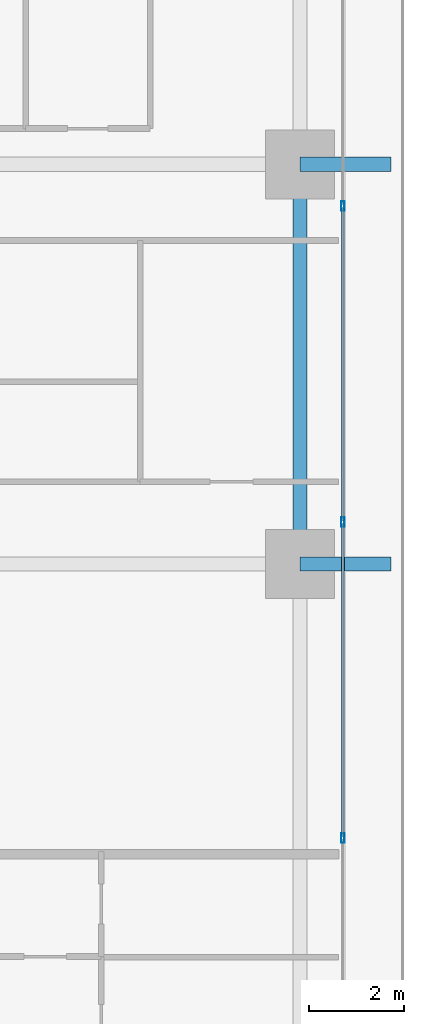
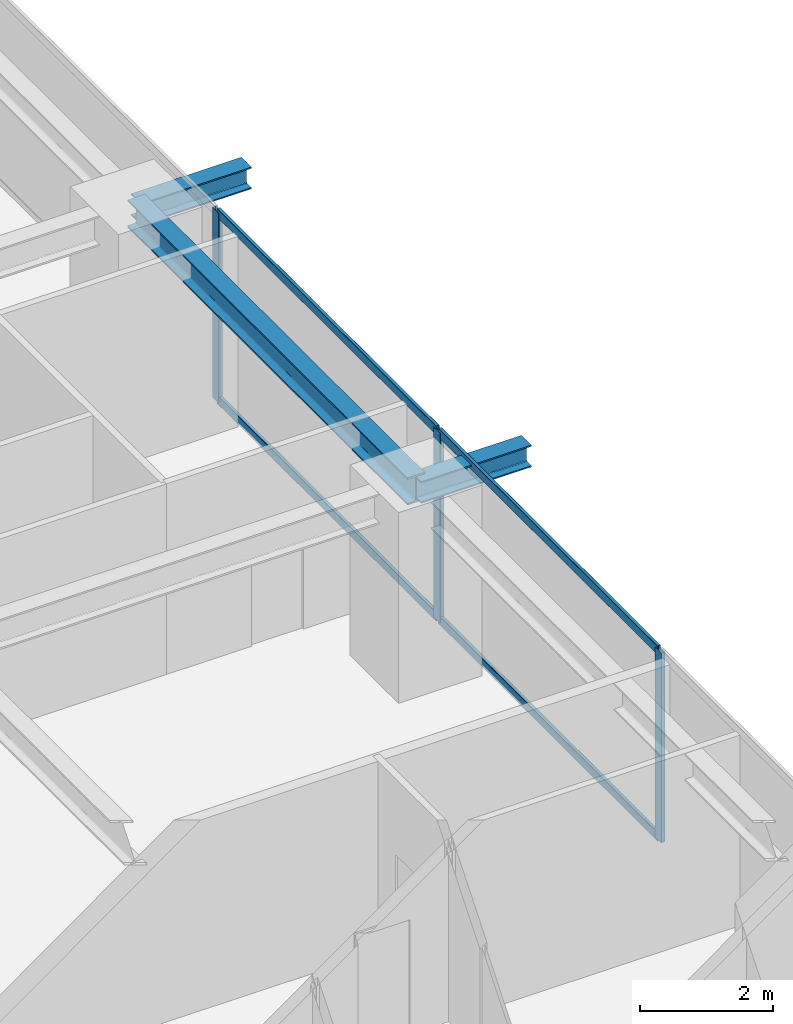
# One storey, part 14 of 35: 7 members, 3 beams, 1 element without a shape of its own.
"""IFC4 building model written with IfcOpenShell, lengths in metres."""

from ifc_helpers import new_model, si_unit, direction, frame, origin, origin_2d, place, context, subcontext, project, spatial, hollow_rectangle, i_section, extrude, source, transform, mapped, material, layer, layer_set, material_profile, profile_set, type_object, element, aggregate, save


model = new_model("IFC4")

# Units and contexts
model_context = context("Model", 3, precision=1e-05, world=origin(), true_north=direction((0.0, 1.0)))
body_context = subcontext(model_context, "Body", "Model", "MODEL_VIEW")
ifc_project = project(units=[si_unit("LENGTHUNIT", "METRE"), si_unit("AREAUNIT", "SQUARE_METRE"), si_unit("VOLUMEUNIT", "CUBIC_METRE"), si_unit("PLANEANGLEUNIT", "RADIAN"), si_unit("MASSUNIT", "GRAM", prefix="KILO")], contexts=[model_context])

# Site, building, storey
site_placement = place(None, origin())
site = spatial("IfcSite", under=ifc_project, at=site_placement, CompositionType="ELEMENT")
building_placement = place(site_placement, origin())
building = spatial("IfcBuilding", under=site, at=building_placement, Name="Serunith Strait Residences", CompositionType="ELEMENT")
storey_placement = place(building_placement, frame((0.0, 0.0, 71.699951171875)))
storey = spatial("IfcBuildingStorey", under=building, at=storey_placement, Name="L17", CompositionType="ELEMENT", Elevation=71.699951171875)

# Beams
ifc_material_1 = material(Name="Steel S355J2", Category="steel")
ifc_material_profile_1 = material_profile(ifc_material_1, i_section(OverallWidth=0.300048828125, OverallDepth=0.5, WebThickness=0.014404296875, FlangeThickness=0.028076171875, FilletRadius=0.027099609375, at=origin_2d()), Name="HEB 500")
ifc_profile_set_1 = profile_set([ifc_material_profile_1], Name="Steel S355J2")
beam_type_1 = type_object("IfcBeamType", Name="BM-HEB500", PredefinedType="BEAM", material=ifc_profile_set_1)
shared_shape_1 = source(origin(), body_context, "Body", "SweptSolid", [
    extrude(i_section(OverallWidth=0.300048828125, OverallDepth=0.5, WebThickness=0.014404296875, FlangeThickness=0.028076171875, FilletRadius=0.027099609375, at=origin_2d()), origin(), (0.0, 0.0, 1.0), 8.39990234375),
])
beam_placement = place(storey_placement, frame((57.89990234375, 21.0, 3.237060546875), z_axis=(0.0, 1.0, 0.0), x_axis=(-1.0, 0.0, 0.0)))
element("IfcBeam", 1, at=beam_placement, inside=storey, type_object=beam_type_1, Name="L17 Perimeter Ring Beam 06", PredefinedType="BEAM", context=body_context, shape_type="MappedRepresentation", body=[
    mapped(shared_shape_1, transform((0.0, 0.0, 0.0), scale=1.0)),
])
ifc_material_profile_2 = material_profile(ifc_material_1, i_section(OverallWidth=0.300048828125, OverallDepth=0.39990234375, WebThickness=0.013427734375, FlangeThickness=0.02392578125, FilletRadius=0.027099609375, at=origin_2d()), Name="HEB 400")
ifc_profile_set_2 = profile_set([ifc_material_profile_2], Name="Steel S355J2")
beam_type_2 = type_object("IfcBeamType", Name="BM-HEB400", PredefinedType="BEAM", material=ifc_profile_set_2)
shared_shape_2 = source(origin(), body_context, "Body", "SweptSolid", [
    extrude(i_section(OverallWidth=0.300048828125, OverallDepth=0.39990234375, WebThickness=0.013427734375, FlangeThickness=0.02392578125, FilletRadius=0.027099609375, at=origin_2d()), origin(), (0.0, 0.0, 1.0), 1.91015625),
])
for number, where, z_axis, x_axis, name in (
    (2, (57.89990234375, 21.0, 3.257080078125), (1.0, 0.0, 0.0), (0.0, 1.0, 0.0), "L18 Cantilevered Balcony Rib TC-E2"),
    (3, (57.89990234375, 29.39990234375, 3.257080078125), (1.0, 0.0, 0.0), (0.0, 1.0, 0.0), "L18 Cantilevered Balcony Rib TC-E3"),
):
    element("IfcBeam", number, at=place(storey_placement, frame(where, z_axis=z_axis, x_axis=x_axis)), inside=storey, type_object=beam_type_2, Name=name, PredefinedType="BEAM", context=body_context, shape_type="MappedRepresentation", body=[
        mapped(shared_shape_2, transform((0.0, 0.0, 0.0), scale=1.0)),
    ])

# Curtain wall, members
ifc_material_2 = material(Name="Pale-Champagne Anodised Aluminium", Category="aluminium")
ifc_layer = layer(ifc_material_2, 0.199951171875, Name="Pale-Champagne Anodised Aluminium")
ifc_layer_set = layer_set([ifc_layer], Name="Pale-Champagne Anodised Aluminium")
curtain_wall_type = type_object("IfcCurtainWallType", Name="CW-SYS1", PredefinedType="NOTDEFINED", material=ifc_layer_set)
curtain_wall_placement = place(storey_placement, origin())
curtain_wall = element("IfcCurtainWall", 4, at=curtain_wall_placement, inside=storey, type_object=curtain_wall_type, Name="L17 E Unitised Fritted Curtain Wall", PredefinedType="NOTDEFINED")
ifc_material_profile_3 = material_profile(ifc_material_2, hollow_rectangle(XDim=0.070068359375, YDim=0.199951171875, WallThickness=0.00390625, InnerFilletRadius=0.006103515625, OuterFilletRadius=0.010009765625, at=origin_2d()), Name="ALU 200x70x4")
ifc_profile_set_3 = profile_set([ifc_material_profile_3], Name="Pale-Champagne Anodised Aluminium")
member_type_1 = type_object("IfcMemberType", Name="CW-SYS1-MULL", PredefinedType="MULLION", material=ifc_profile_set_3)
shared_shape_3 = source(origin(), body_context, "Body", "SweptSolid", [
    extrude(hollow_rectangle(XDim=0.070068359375, YDim=0.199951171875, WallThickness=0.00390625, InnerFilletRadius=0.006103515625, OuterFilletRadius=0.010009765625, at=origin_2d()), origin(), (0.0, 0.0, 1.0), 3.47509765625),
])
member_1_placement = place(storey_placement, frame((58.800048828125, 15.239990234375, 0.0), z_axis=(0.0, 0.0, 1.0), x_axis=(-1.0, 0.0, 0.0)))
member_1 = element("IfcMember", 5, at=member_1_placement, type_object=member_type_1, Name="CW-1 mullion 2", PredefinedType="MULLION", context=body_context, shape_type="MappedRepresentation", body=[
    mapped(shared_shape_3, transform((0.0, 0.0, 0.0), scale=1.0)),
])
member_2_placement = place(storey_placement, frame((58.800048828125, 21.8798828125, 0.0), z_axis=(0.0, 0.0, 1.0), x_axis=(-1.0, 0.0, 0.0)))
member_2 = element("IfcMember", 6, at=member_2_placement, type_object=member_type_1, Name="CW-1 mullion 3", PredefinedType="MULLION", context=body_context, shape_type="MappedRepresentation", body=[
    mapped(shared_shape_3, transform((0.0, 0.0, 0.0), scale=1.0)),
])
member_3_placement = place(storey_placement, frame((58.800048828125, 28.52001953125, 0.0), z_axis=(0.0, 0.0, 1.0), x_axis=(-1.0, 0.0, 0.0)))
member_3 = element("IfcMember", 7, at=member_3_placement, type_object=member_type_1, Name="CW-1 mullion 4", PredefinedType="MULLION", context=body_context, shape_type="MappedRepresentation", body=[
    mapped(shared_shape_3, transform((0.0, 0.0, 0.0), scale=1.0)),
])
ifc_material_profile_4 = material_profile(ifc_material_2, hollow_rectangle(XDim=0.06005859375, YDim=0.159912109375, WallThickness=0.00341796875, InnerFilletRadius=0.00537109375, OuterFilletRadius=0.0087890625, at=origin_2d()), Name="ALU 160x60x3.5")
ifc_profile_set_4 = profile_set([ifc_material_profile_4], Name="Pale-Champagne Anodised Aluminium")
member_type_2 = type_object("IfcMemberType", Name="CW-SYS1-TRAN", PredefinedType="USERDEFINED", material=ifc_profile_set_4)
shared_shape_4 = source(origin(), body_context, "Body", "SweptSolid", [
    extrude(hollow_rectangle(XDim=0.06005859375, YDim=0.159912109375, WallThickness=0.00341796875, InnerFilletRadius=0.00537109375, OuterFilletRadius=0.0087890625, at=origin_2d()), origin(), (0.0, 0.0, 1.0), 6.570068359375),
])
member_4_placement = place(storey_placement, frame((58.800048828125, 15.27490234375, 0.030029296875), z_axis=(0.0, 1.0, 0.0), x_axis=(-1.0, 0.0, 0.0)))
member_4 = element("IfcMember", 8, at=member_4_placement, type_object=member_type_2, Name="CW-1 transom 2.1", ObjectType="TRANSOM", PredefinedType="USERDEFINED", context=body_context, shape_type="MappedRepresentation", body=[
    mapped(shared_shape_4, transform((0.0, 0.0, 0.0), scale=1.0)),
])
member_5_placement = place(storey_placement, frame((58.800048828125, 15.27490234375, 3.445068359375), z_axis=(0.0, 1.0, 0.0), x_axis=(-1.0, 0.0, 0.0)))
member_5 = element("IfcMember", 9, at=member_5_placement, type_object=member_type_2, Name="CW-1 transom 2.2", ObjectType="TRANSOM", PredefinedType="USERDEFINED", context=body_context, shape_type="MappedRepresentation", body=[
    mapped(shared_shape_4, transform((0.0, 0.0, 0.0), scale=1.0)),
])
member_6_placement = place(storey_placement, frame((58.800048828125, 21.9150390625, 0.030029296875), z_axis=(0.0, 1.0, 0.0), x_axis=(-1.0, 0.0, 0.0)))
member_6 = element("IfcMember", 10, at=member_6_placement, type_object=member_type_2, Name="CW-1 transom 3.1", ObjectType="TRANSOM", PredefinedType="USERDEFINED", context=body_context, shape_type="MappedRepresentation", body=[
    mapped(shared_shape_4, transform((0.0, 0.0, 0.0), scale=1.0)),
])
member_7_placement = place(storey_placement, frame((58.800048828125, 21.9150390625, 3.445068359375), z_axis=(0.0, 1.0, 0.0), x_axis=(-1.0, 0.0, 0.0)))
member_7 = element("IfcMember", 11, at=member_7_placement, type_object=member_type_2, Name="CW-1 transom 3.2", ObjectType="TRANSOM", PredefinedType="USERDEFINED", context=body_context, shape_type="MappedRepresentation", body=[
    mapped(shared_shape_4, transform((0.0, 0.0, 0.0), scale=1.0)),
])
aggregate(curtain_wall, [member_1, member_2, member_3, member_4, member_5, member_6, member_7])

save(model, "model.ifc")
